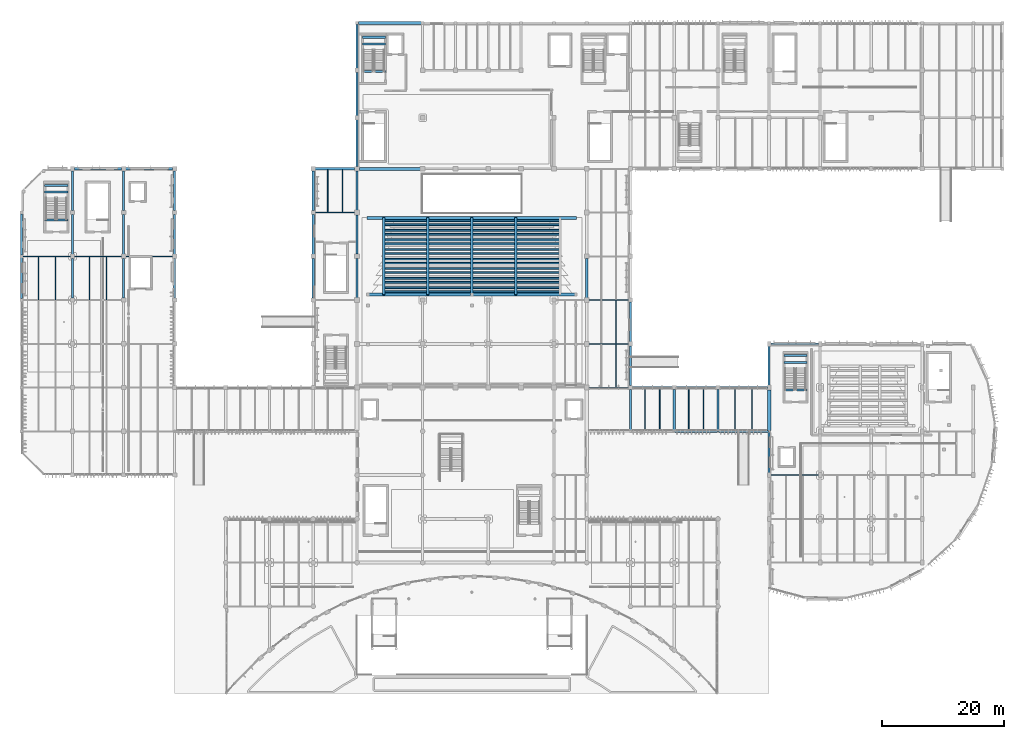
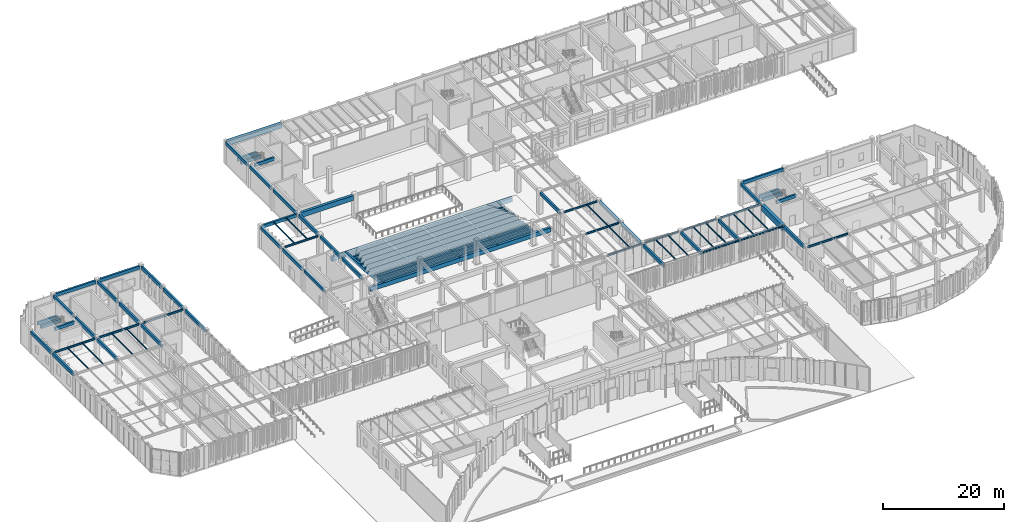
# One storey, part 12 of 122: 93 beams.
"""IFC4 building model written with IfcOpenShell, lengths in metres."""

import ifcopenshell
import ifcopenshell.guid

model = None  # the IFC model being written
_history = None  # IfcOwnerHistory: only IFC2X3 demands one
_inside = {}  # id of a spatial element -> (the spatial element, [elements in it])
_under = {}  # id of a project, library or spatial element -> (it, [spatial elements below it])
_declared = {}  # id of a project -> (the project, [libraries it declares])
_typed = {}  # id of a type object -> (the type object, [elements of that type])
_made_of = {}  # id of a material, layer set ... -> (it, [elements and type objects made of it])


def new_model(schema):
    """Start an empty IFC model of exactly this schema.

    Asked for "IFC4X3", IfcOpenShell would pick the latest addendum, in which some entities
    have other attributes; the version numbers below select the first issue.
    IFC2X3 requires an IfcOwnerHistory on every rooted entity: one is made here for all.
    """
    global model, _history
    if schema == "IFC4X3":
        model = ifcopenshell.file(schema_version=(4, 3, 0, 0))
    else:
        model = ifcopenshell.file(schema=schema)
    _inside.clear()
    _under.clear()
    _declared.clear()
    _typed.clear()
    _made_of.clear()
    _history = None
    if model.schema == "IFC2X3":
        org = make("IfcOrganization", Name="unknown")
        user = make(
            "IfcPersonAndOrganization",
            ThePerson=make("IfcPerson", FamilyName="unknown"),
            TheOrganization=org,
        )
        app = make(
            "IfcApplication",
            ApplicationDeveloper=org,
            Version="unknown",
            ApplicationFullName="unknown",
            ApplicationIdentifier="unknown",
        )
        _history = make(
            "IfcOwnerHistory",
            OwningUser=user,
            OwningApplication=app,
            ChangeAction="ADDED",
            CreationDate=0,
        )
    return model


def make(cls, **values):
    """One entity of the class cls with the attributes given. An attribute that is None is left unset."""
    return model.create_entity(
        cls, **{name: value for name, value in values.items() if value is not None}
    )


def rooted(cls, **values):
    """An entity with a GlobalId (a new one), such as an element, a storey or a relation."""
    return make(cls, GlobalId=ifcopenshell.guid.new(), OwnerHistory=_history, **values)


def si_unit(unit_type, name, prefix=None):
    """IfcSIUnit, for example si_unit("LENGTHUNIT", "METRE", prefix="MILLI")."""
    return make("IfcSIUnit", UnitType=unit_type, Prefix=prefix, Name=name)


def assignment(units):
    """IfcUnitAssignment: the units of a project."""
    return None if units is None else make("IfcUnitAssignment", Units=units)


def point(xyz):
    """IfcCartesianPoint."""
    return None if xyz is None else make("IfcCartesianPoint", Coordinates=xyz)


def direction(xyz):
    """IfcDirection."""
    return None if xyz is None else make("IfcDirection", DirectionRatios=xyz)


def frame(location, z_axis=None, x_axis=None):
    """IfcAxis2Placement3D, a coordinate frame: its origin and axes. An axis left out is left unset."""
    return make(
        "IfcAxis2Placement3D",
        Location=point(location),
        Axis=direction(z_axis),
        RefDirection=direction(x_axis),
    )


def frame_2d(location, x_axis=None):
    """IfcAxis2Placement2D, a coordinate frame in the plane: its origin and x axis."""
    return make(
        "IfcAxis2Placement2D", Location=point(location), RefDirection=direction(x_axis)
    )


def origin():
    """The frame at (0, 0, 0) with its axes left unset."""
    return frame((0.0, 0.0, 0.0))


def origin_2d():
    """The frame at (0, 0) in the plane with its x axis left unset."""
    return frame_2d((0.0, 0.0))


def place(relative_to, where):
    """IfcLocalPlacement: puts the frame where relative to a parent placement (None: the world)."""
    return make(
        "IfcLocalPlacement", PlacementRelTo=relative_to, RelativePlacement=where
    )


def context(
    kind, dimensions, precision=None, world=None, true_north=None, identifier=None
):
    """IfcGeometricRepresentationContext, for example the 3D "Model" context."""
    return make(
        "IfcGeometricRepresentationContext",
        ContextIdentifier=identifier,
        ContextType=kind,
        CoordinateSpaceDimension=dimensions,
        Precision=precision,
        WorldCoordinateSystem=world,
        TrueNorth=true_north,
    )


def subcontext(parent, identifier, kind, view, scale=None):
    """IfcGeometricRepresentationSubContext, for example "Body" below "Model"."""
    return make(
        "IfcGeometricRepresentationSubContext",
        ContextIdentifier=identifier,
        ContextType=kind,
        ParentContext=parent,
        TargetScale=scale,
        TargetView=view,
    )


def project(units=None, contexts=None):
    """IfcProject with its units and contexts."""
    return rooted(
        "IfcProject",
        Name="project",
        RepresentationContexts=contexts,
        UnitsInContext=assignment(units),
    )


def spatial(cls, under=None, at=None, **own):
    """A site, building, storey or space (cls), placed at a placement, below another one or the project."""
    s = rooted(cls, ObjectPlacement=at, **own)
    if under is not None:
        _under.setdefault(under.id(), (under, []))[1].append(s)
    return s


def profile(cls, at=None, kind="AREA", **sizes):
    """A parametric profile (cls). Its sizes go by their IFC names, for example OverallWidth=200.0."""
    return make(cls, ProfileType=kind, Position=at, **sizes)


def rectangle(**sizes):
    """IfcRectangleProfileDef."""
    return profile("IfcRectangleProfileDef", **sizes)


def i_section(**sizes):
    """IfcIShapeProfileDef."""
    return profile("IfcIShapeProfileDef", **sizes)


def extrude(swept, where, along, depth):
    """IfcExtrudedAreaSolid: the profile swept, set in the frame where, extruded along a direction by depth."""
    return make(
        "IfcExtrudedAreaSolid",
        SweptArea=swept,
        Position=where,
        ExtrudedDirection=direction(along),
        Depth=depth,
    )


def shape(context_of_items, identifier, shape_type, items):
    """IfcShapeRepresentation: the items that make up one representation, for example the "Body"."""
    return make(
        "IfcShapeRepresentation",
        ContextOfItems=context_of_items,
        RepresentationIdentifier=identifier,
        RepresentationType=shape_type,
        Items=items,
    )


def material(Name=None, Category=None):
    """IfcMaterial."""
    return make("IfcMaterial", Name=Name, Category=Category)


def material_profile(
    of_material, cross_section, Name=None, Category=None, Priority=None
):
    """IfcMaterialProfile: a cross section and its material."""
    return make(
        "IfcMaterialProfile",
        Name=Name,
        Material=of_material,
        Profile=cross_section,
        Priority=Priority,
        Category=Category,
    )


def profile_set(profiles, Name=None, composite=None):
    """IfcMaterialProfileSet."""
    return make(
        "IfcMaterialProfileSet",
        Name=Name,
        MaterialProfiles=profiles,
        CompositeProfile=composite,
    )


def made_of(thing, what):
    """Note that an element or type object is made of a material, layer set ...; save() writes the relation."""
    if what is not None:
        _made_of.setdefault(what.id(), (what, []))[1].append(thing)
    return thing


def type_object(cls, material=None, **own):
    """A type object (cls), such as IfcWallType, which elements share."""
    return made_of(rooted(cls, **own), material)


def element(
    cls,
    number,
    at=None,
    inside=None,
    cuts=None,
    type_object=None,
    material=None,
    context=None,
    identifier="Body",
    shape_type=None,
    held_by="IfcProductDefinitionShape",
    body=None,
    shapes=None,
    **own,
):
    """One element of the class cls, such as IfcWall. Its Tag is "e" and its number.

    at: its placement. inside: the storey or other place that contains it. cuts: it is an
    opening in that element (IfcRelVoidsElement). A single representation is given by context,
    identifier, shape_type and body (its items); several are given by shapes. held_by: the class
    of the entity that holds the representations. save() writes the other relations.
    """
    e = rooted(cls, Tag="e%d" % number, ObjectPlacement=at, **own)
    if body is not None:
        shapes = [shape(context, identifier, shape_type, body)]
    if shapes is not None:
        e.Representation = make(held_by, Representations=shapes)
    if inside is not None:
        _inside.setdefault(inside.id(), (inside, []))[1].append(e)
    if cuts is not None:
        rooted(
            "IfcRelVoidsElement", RelatingBuildingElement=cuts, RelatedOpeningElement=e
        )
    if type_object is not None:
        _typed.setdefault(type_object.id(), (type_object, []))[1].append(e)
    return made_of(e, material)


def aggregate(whole, parts):
    """IfcRelAggregates: a whole, such as a stair, and the parts it consists of."""
    return rooted("IfcRelAggregates", RelatingObject=whole, RelatedObjects=parts)


def save(model, path):
    """Write the relations noted so far, then the file.

    IfcRelAggregates (storeys below a building ...), IfcRelContainedInSpatialStructure (elements
    in a storey), IfcRelDefinesByType, IfcRelAssociatesMaterial and IfcRelDeclares: one each for
    every whole, place, type object, material and project.
    """
    for whole, parts in _under.values():
        aggregate(whole, parts)
    for where, things in _inside.values():
        rooted(
            "IfcRelContainedInSpatialStructure",
            RelatedElements=things,
            RelatingStructure=where,
        )
    for kind, things in _typed.values():
        rooted("IfcRelDefinesByType", RelatedObjects=things, RelatingType=kind)
    for what, things in _made_of.values():
        rooted("IfcRelAssociatesMaterial", RelatedObjects=things, RelatingMaterial=what)
    for by, libraries in _declared.values():
        rooted("IfcRelDeclares", RelatingContext=by, RelatedDefinitions=libraries)
    model.write(path)


model = new_model("IFC4")

# Units and contexts
model_context = context("Model", 3, precision=1e-05, world=origin(), true_north=direction((0.0, 1.0)))
body_context = subcontext(model_context, "Body", "Model", "MODEL_VIEW")
ifc_project = project(units=[si_unit("LENGTHUNIT", "METRE"), si_unit("AREAUNIT", "SQUARE_METRE"), si_unit("VOLUMEUNIT", "CUBIC_METRE"), si_unit("PLANEANGLEUNIT", "RADIAN"), si_unit("MASSUNIT", "GRAM", prefix="KILO")], contexts=[model_context])

# Site, building, storey
site_placement = place(None, origin())
site = spatial("IfcSite", under=ifc_project, at=site_placement, CompositionType="ELEMENT")
building_placement = place(site_placement, origin())
building = spatial("IfcBuilding", under=site, at=building_placement, Name="Tazoul Stagehouse", CompositionType="ELEMENT")
storey_placement = place(building_placement, origin())
storey = spatial("IfcBuildingStorey", under=building, at=storey_placement, Name="L00", CompositionType="ELEMENT", Elevation=0.0)

# Beams
ifc_material_1 = material(Name="Concrete C40/50", Category="concrete")
ifc_material_profile_1 = material_profile(ifc_material_1, rectangle(XDim=0.39990234375, YDim=0.75, at=origin_2d()), Name="RC 400x750")
ifc_profile_set_1 = profile_set([ifc_material_profile_1], Name="Concrete C40/50")
beam_type_1 = type_object("IfcBeamType", Name="RC Auditorium Raker Girder 400x750", PredefinedType="BEAM", material=ifc_profile_set_1)
for number, where, z_axis, x_axis, name in (
    (1, (62.0, 79.699951171875, -0.330078125), (0.0, -0.992612977455, 0.121323851688), (1.0, 0.0, 0.0), "RAKER V1-STALLS RB-01-01"),
    (2, (69.25, 79.699951171875, -0.330078125), (0.0, -0.992612977455, 0.121323851688), (1.0, 0.0, 0.0), "RAKER V1-STALLS RB-01-02"),
    (3, (76.5, 79.699951171875, -0.330078125), (0.0, -0.992612977455, 0.121323851688), (1.0, 0.0, 0.0), "RAKER V1-STALLS RB-01-03"),
    (4, (83.75, 79.699951171875, -0.330078125), (0.0, -0.992612977455, 0.121323851688), (1.0, 0.0, 0.0), "RAKER V1-STALLS RB-01-04"),
):
    element("IfcBeam", number, at=place(storey_placement, frame(where, z_axis=z_axis, x_axis=x_axis)), inside=storey, type_object=beam_type_1, Name=name, PredefinedType="BEAM", context=body_context, shape_type="SweptSolid", body=[
        extrude(rectangle(XDim=0.39990234375, YDim=0.75, at=origin_2d()), origin(), (0.0, 0.0, 1.0), 12.693603515625),
    ])
ifc_material_profile_2 = material_profile(ifc_material_1, rectangle(XDim=0.60009765625, YDim=1.199951171875, at=origin_2d()), Name="RC 600x1200")
ifc_profile_set_2 = profile_set([ifc_material_profile_2], Name="Concrete C40/50")
beam_type_2 = type_object("IfcBeamType", Name="RC Long-Span Girder 600x1200 (Exterior)", PredefinedType="BEAM", material=ifc_profile_set_2)
beam_1_placement = place(storey_placement, frame((125.39990234375, 44.737060546875, 3.93798828125), z_axis=(0.0, 1.0, 0.0), x_axis=(-1.0, 0.0, 0.0)))
element("IfcBeam", 5, at=beam_1_placement, inside=storey, type_object=beam_type_2, Name="L00 Beam BM-05E 19/G-H", PredefinedType="BEAM", context=body_context, shape_type="SweptSolid", body=[
    extrude(rectangle(XDim=0.60009765625, YDim=1.199951171875, at=origin_2d()), origin(), (0.0, 0.0, 1.0), 6.68798828125),
])
ifc_material_profile_3 = material_profile(ifc_material_1, rectangle(XDim=0.35009765625, YDim=0.64990234375, at=origin_2d()), Name="RC 350x650")
ifc_profile_set_3 = profile_set([ifc_material_profile_3], Name="Concrete C40/50")
beam_type_3 = type_object("IfcBeamType", Name="RC Perimeter Spandrel 350x650 (Exterior)", PredefinedType="SPANDREL", material=ifc_profile_set_3)
beam_2_placement = place(storey_placement, frame((125.675048828125, 59.0, 4.212890625), z_axis=(1.0, 0.0, 0.0), x_axis=(0.0, 1.0, 0.0)))
element("IfcBeam", 6, at=beam_2_placement, inside=storey, type_object=beam_type_3, Name="L00 Beam SP-01E J/19-20", PredefinedType="SPANDREL", context=body_context, shape_type="SweptSolid", body=[
    extrude(rectangle(XDim=0.35009765625, YDim=0.64990234375, at=origin_2d()), origin(), (0.0, 0.0, 1.0), 7.849853515625),
])
for number, where, z_axis, x_axis, name in (
    (7, (11.125, 87.800048828125, 4.212890625), (1.0, 0.0, 0.0), (0.0, 1.0, 0.0), "L00 Beam SP-01E N/2-3"),
    (8, (19.52490234375, 87.800048828125, 4.212890625), (1.0, 0.0, 0.0), (0.0, 1.0, 0.0), "L00 Beam SP-01E N/3-4"),
):
    element("IfcBeam", number, at=place(storey_placement, frame(where, z_axis=z_axis, x_axis=x_axis)), inside=storey, type_object=beam_type_3, Name=name, PredefinedType="SPANDREL", context=body_context, shape_type="SweptSolid", body=[
        extrude(rectangle(XDim=0.35009765625, YDim=0.64990234375, at=origin_2d()), origin(), (0.0, 0.0, 1.0), 7.75),
    ])
beam_3_placement = place(storey_placement, frame((50.72509765625, 87.800048828125, 4.212890625), z_axis=(1.0, 0.0, 0.0), x_axis=(0.0, 1.0, 0.0)))
element("IfcBeam", 9, at=beam_3_placement, inside=storey, type_object=beam_type_3, Name="L00 Beam SP-01E N/7-8", PredefinedType="SPANDREL", context=body_context, shape_type="SweptSolid", body=[
    extrude(rectangle(XDim=0.35009765625, YDim=0.64990234375, at=origin_2d()), origin(), (0.0, 0.0, 1.0), 6.5),
])
for number, where, z_axis, x_axis, name in (
    (10, (2.39990234375, 66.425048828125, 4.212890625), (0.0, 1.0, 0.0), (-1.0, 0.0, 0.0), "L00 Beam SP-01E 1/K-L"),
    (11, (2.39990234375, 73.625, 4.212890625), (0.0, 1.0, 0.0), (-1.0, 0.0, 0.0), "L00 Beam SP-01E 1/L-M"),
):
    element("IfcBeam", number, at=place(storey_placement, frame(where, z_axis=z_axis, x_axis=x_axis)), inside=storey, type_object=beam_type_3, Name=name, PredefinedType="SPANDREL", context=body_context, shape_type="SweptSolid", body=[
        extrude(rectangle(XDim=0.35009765625, YDim=0.64990234375, at=origin_2d()), origin(), (0.0, 0.0, 1.0), 6.75),
    ])
beam_4_placement = place(storey_placement, frame((27.60009765625, 66.52490234375, 4.212890625), z_axis=(0.0, 1.0, 0.0), x_axis=(-1.0, 0.0, 0.0)))
element("IfcBeam", 12, at=beam_4_placement, inside=storey, type_object=beam_type_3, Name="L00 Beam SP-01E 4/K-L", PredefinedType="SPANDREL", context=body_context, shape_type="SweptSolid", body=[
    extrude(rectangle(XDim=0.35009765625, YDim=0.64990234375, at=origin_2d()), origin(), (0.0, 0.0, 1.0), 6.550048828125),
])
beam_5_placement = place(storey_placement, frame((27.60009765625, 73.72509765625, 4.212890625), z_axis=(0.0, 1.0, 0.0), x_axis=(-1.0, 0.0, 0.0)))
element("IfcBeam", 13, at=beam_5_placement, inside=storey, type_object=beam_type_3, Name="L00 Beam SP-01E 4/L-M", PredefinedType="SPANDREL", context=body_context, shape_type="SweptSolid", body=[
    extrude(rectangle(XDim=0.35009765625, YDim=0.64990234375, at=origin_2d()), origin(), (0.0, 0.0, 1.0), 6.5498046875),
])
for number, where, z_axis, x_axis, name in (
    (14, (27.60009765625, 80.925048828125, 4.212890625), (0.0, 1.0, 0.0), (-1.0, 0.0, 0.0), "L00 Beam SP-01E 4/M-N"),
    (15, (50.39990234375, 66.52490234375, 4.212890625), (0.0, 1.0, 0.0), (-1.0, 0.0, 0.0), "L00 Beam SP-01E 7/K-L"),
):
    element("IfcBeam", number, at=place(storey_placement, frame(where, z_axis=z_axis, x_axis=x_axis)), inside=storey, type_object=beam_type_3, Name=name, PredefinedType="SPANDREL", context=body_context, shape_type="SweptSolid", body=[
        extrude(rectangle(XDim=0.35009765625, YDim=0.64990234375, at=origin_2d()), origin(), (0.0, 0.0, 1.0), 6.550048828125),
    ])
beam_6_placement = place(storey_placement, frame((50.39990234375, 73.72509765625, 4.212890625), z_axis=(0.0, 1.0, 0.0), x_axis=(-1.0, 0.0, 0.0)))
element("IfcBeam", 16, at=beam_6_placement, inside=storey, type_object=beam_type_3, Name="L00 Beam SP-01E 7/L-M", PredefinedType="SPANDREL", context=body_context, shape_type="SweptSolid", body=[
    extrude(rectangle(XDim=0.35009765625, YDim=0.64990234375, at=origin_2d()), origin(), (0.0, 0.0, 1.0), 6.5498046875),
])
beam_7_placement = place(storey_placement, frame((50.39990234375, 80.925048828125, 4.212890625), z_axis=(0.0, 1.0, 0.0), x_axis=(-1.0, 0.0, 0.0)))
element("IfcBeam", 17, at=beam_7_placement, inside=storey, type_object=beam_type_3, Name="L00 Beam SP-01E 7/M-N", PredefinedType="SPANDREL", context=body_context, shape_type="SweptSolid", body=[
    extrude(rectangle(XDim=0.35009765625, YDim=0.64990234375, at=origin_2d()), origin(), (0.0, 0.0, 1.0), 6.550048828125),
])
beam_8_placement = place(storey_placement, frame((57.60009765625, 88.175048828125, 4.212890625), z_axis=(0.0, 1.0, 0.0), x_axis=(-1.0, 0.0, 0.0)))
element("IfcBeam", 18, at=beam_8_placement, inside=storey, type_object=beam_type_3, Name="L00 Beam SP-01E 8/N-P", PredefinedType="SPANDREL", context=body_context, shape_type="SweptSolid", body=[
    extrude(rectangle(XDim=0.35009765625, YDim=0.64990234375, at=origin_2d()), origin(), (0.0, 0.0, 1.0), 7.699951171875),
])
beam_9_placement = place(storey_placement, frame((57.60009765625, 96.52490234375, 4.212890625), z_axis=(0.0, 1.0, 0.0), x_axis=(-1.0, 0.0, 0.0)))
element("IfcBeam", 19, at=beam_9_placement, inside=storey, type_object=beam_type_3, Name="L00 Beam SP-01E 8/P-Q", PredefinedType="SPANDREL", context=body_context, shape_type="SweptSolid", body=[
    extrude(rectangle(XDim=0.35009765625, YDim=0.64990234375, at=origin_2d()), origin(), (0.0, 0.0, 1.0), 7.150146484375),
])
beam_10_placement = place(storey_placement, frame((57.60009765625, 104.324951171875, 4.212890625), z_axis=(0.0, 1.0, 0.0), x_axis=(-1.0, 0.0, 0.0)))
element("IfcBeam", 20, at=beam_10_placement, inside=storey, type_object=beam_type_3, Name="L00 Beam SP-01E 8/Q-R", PredefinedType="SPANDREL", context=body_context, shape_type="SweptSolid", body=[
    extrude(rectangle(XDim=0.35009765625, YDim=0.64990234375, at=origin_2d()), origin(), (0.0, 0.0, 1.0), 7.25),
])
for number, where, z_axis, x_axis, name in (
    (21, (102.60009765625, 52.125, 4.212890625), (0.0, 1.0, 0.0), (-1.0, 0.0, 0.0), "L00 Beam SP-01E 16/H-J"),
    (22, (102.60009765625, 59.324951171875, 4.212890625), (0.0, 1.0, 0.0), (-1.0, 0.0, 0.0), "L00 Beam SP-01E 16/J-K"),
):
    element("IfcBeam", number, at=place(storey_placement, frame(where, z_axis=z_axis, x_axis=x_axis)), inside=storey, type_object=beam_type_3, Name=name, PredefinedType="SPANDREL", context=body_context, shape_type="SweptSolid", body=[
        extrude(rectangle(XDim=0.35009765625, YDim=0.64990234375, at=origin_2d()), origin(), (0.0, 0.0, 1.0), 6.550048828125),
    ])
beam_11_placement = place(storey_placement, frame((125.39990234375, 37.77490234375, 4.212890625), z_axis=(0.0, 1.0, 0.0), x_axis=(-1.0, 0.0, 0.0)))
element("IfcBeam", 23, at=beam_11_placement, inside=storey, type_object=beam_type_3, Name="L00 Beam SP-01E 19/F-G", PredefinedType="SPANDREL", context=body_context, shape_type="SweptSolid", body=[
    extrude(rectangle(XDim=0.35009765625, YDim=0.64990234375, at=origin_2d()), origin(), (0.0, 0.0, 1.0), 6.688232421875),
])
beam_12_placement = place(storey_placement, frame((125.39990234375, 52.175048828125, 4.212890625), z_axis=(0.0, 1.0, 0.0), x_axis=(-1.0, 0.0, 0.0)))
element("IfcBeam", 24, at=beam_12_placement, inside=storey, type_object=beam_type_3, Name="L00 Beam SP-01E 19/H-J", PredefinedType="SPANDREL", context=body_context, shape_type="SweptSolid", body=[
    extrude(rectangle(XDim=0.35009765625, YDim=0.64990234375, at=origin_2d()), origin(), (0.0, 0.0, 1.0), 6.449951171875),
])
ifc_material_profile_4 = material_profile(ifc_material_1, rectangle(XDim=0.35009765625, YDim=0.64990234375, at=origin_2d()), Name="RC 350x650")
ifc_profile_set_4 = profile_set([ifc_material_profile_4], Name="Concrete C40/50")
beam_type_4 = type_object("IfcBeamType", Name="RC Primary Girder 350x650", PredefinedType="BEAM", material=ifc_profile_set_4)
beam_13_placement = place(storey_placement, frame((10.800048828125, 66.52490234375, 4.212890625), z_axis=(0.0, 1.0, 0.0), x_axis=(-1.0, 0.0, 0.0)))
element("IfcBeam", 25, at=beam_13_placement, inside=storey, type_object=beam_type_4, Name="L00 Beam BM-01 2/K-L", PredefinedType="BEAM", context=body_context, shape_type="SweptSolid", body=[
    extrude(rectangle(XDim=0.35009765625, YDim=0.64990234375, at=origin_2d()), origin(), (0.0, 0.0, 1.0), 6.550048828125),
])
beam_14_placement = place(storey_placement, frame((10.800048828125, 73.72509765625, 4.212890625), z_axis=(0.0, 1.0, 0.0), x_axis=(-1.0, 0.0, 0.0)))
element("IfcBeam", 26, at=beam_14_placement, inside=storey, type_object=beam_type_4, Name="L00 Beam BM-01 2/L-M", PredefinedType="BEAM", context=body_context, shape_type="SweptSolid", body=[
    extrude(rectangle(XDim=0.35009765625, YDim=0.64990234375, at=origin_2d()), origin(), (0.0, 0.0, 1.0), 6.5498046875),
])
for number, where, z_axis, x_axis, name in (
    (27, (10.800048828125, 80.925048828125, 4.212890625), (0.0, 1.0, 0.0), (-1.0, 0.0, 0.0), "L00 Beam BM-01 2/M-N"),
    (28, (19.199951171875, 66.52490234375, 4.212890625), (0.0, 1.0, 0.0), (-1.0, 0.0, 0.0), "L00 Beam BM-01 3/K-L"),
):
    element("IfcBeam", number, at=place(storey_placement, frame(where, z_axis=z_axis, x_axis=x_axis)), inside=storey, type_object=beam_type_4, Name=name, PredefinedType="BEAM", context=body_context, shape_type="SweptSolid", body=[
        extrude(rectangle(XDim=0.35009765625, YDim=0.64990234375, at=origin_2d()), origin(), (0.0, 0.0, 1.0), 6.550048828125),
    ])
beam_15_placement = place(storey_placement, frame((19.199951171875, 73.72509765625, 4.212890625), z_axis=(0.0, 1.0, 0.0), x_axis=(-1.0, 0.0, 0.0)))
element("IfcBeam", 29, at=beam_15_placement, inside=storey, type_object=beam_type_4, Name="L00 Beam BM-01 3/L-M", PredefinedType="BEAM", context=body_context, shape_type="SweptSolid", body=[
    extrude(rectangle(XDim=0.35009765625, YDim=0.64990234375, at=origin_2d()), origin(), (0.0, 0.0, 1.0), 6.5498046875),
])
beam_16_placement = place(storey_placement, frame((19.199951171875, 80.925048828125, 4.212890625), z_axis=(0.0, 1.0, 0.0), x_axis=(-1.0, 0.0, 0.0)))
element("IfcBeam", 30, at=beam_16_placement, inside=storey, type_object=beam_type_4, Name="L00 Beam BM-01 3/M-N", PredefinedType="BEAM", context=body_context, shape_type="SweptSolid", body=[
    extrude(rectangle(XDim=0.35009765625, YDim=0.64990234375, at=origin_2d()), origin(), (0.0, 0.0, 1.0), 6.550048828125),
])
beam_17_placement = place(storey_placement, frame((57.60009765625, 66.574951171875, 4.212890625), z_axis=(0.0, 1.0, 0.0), x_axis=(-1.0, 0.0, 0.0)))
element("IfcBeam", 31, at=beam_17_placement, inside=storey, type_object=beam_type_4, Name="L00 Beam BM-01 8/K-L", PredefinedType="BEAM", context=body_context, shape_type="SweptSolid", body=[
    extrude(rectangle(XDim=0.35009765625, YDim=0.64990234375, at=origin_2d()), origin(), (0.0, 0.0, 1.0), 6.449951171875),
])
beam_18_placement = place(storey_placement, frame((57.60009765625, 73.77490234375, 4.212890625), z_axis=(0.0, 1.0, 0.0), x_axis=(-1.0, 0.0, 0.0)))
element("IfcBeam", 32, at=beam_18_placement, inside=storey, type_object=beam_type_4, Name="L00 Beam BM-01 8/L-M", PredefinedType="BEAM", context=body_context, shape_type="SweptSolid", body=[
    extrude(rectangle(XDim=0.35009765625, YDim=0.64990234375, at=origin_2d()), origin(), (0.0, 0.0, 1.0), 6.4501953125),
])
for number, where, z_axis, x_axis, name in (
    (33, (57.60009765625, 80.97509765625, 4.212890625), (0.0, 1.0, 0.0), (-1.0, 0.0, 0.0), "L00 Beam BM-01 8/M-N"),
    (34, (95.39990234375, 66.574951171875, 4.212890625), (0.0, 1.0, 0.0), (-1.0, 0.0, 0.0), "L00 Beam BM-01 15/K-L"),
):
    element("IfcBeam", number, at=place(storey_placement, frame(where, z_axis=z_axis, x_axis=x_axis)), inside=storey, type_object=beam_type_4, Name=name, PredefinedType="BEAM", context=body_context, shape_type="SweptSolid", body=[
        extrude(rectangle(XDim=0.35009765625, YDim=0.64990234375, at=origin_2d()), origin(), (0.0, 0.0, 1.0), 6.449951171875),
    ])
for number, where, z_axis, x_axis, name in (
    (35, (102.60009765625, 44.737060546875, 4.212890625), (0.0, 1.0, 0.0), (-1.0, 0.0, 0.0), "L00 Beam BM-01 16/G-H"),
    (36, (109.800048828125, 44.737060546875, 4.23291015625), (0.0, 1.0, 0.0), (-1.0, 0.0, 0.0), "L00 Beam BM-01 17/G-H"),
    (37, (117.0, 44.737060546875, 4.23291015625), (0.0, 1.0, 0.0), (-1.0, 0.0, 0.0), "L00 Beam BM-01 18/G-H"),
):
    element("IfcBeam", number, at=place(storey_placement, frame(where, z_axis=z_axis, x_axis=x_axis)), inside=storey, type_object=beam_type_4, Name=name, PredefinedType="BEAM", context=body_context, shape_type="SweptSolid", body=[
        extrude(rectangle(XDim=0.35009765625, YDim=0.64990234375, at=origin_2d()), origin(), (0.0, 0.0, 1.0), 6.738037109375),
    ])
for number, where, z_axis, x_axis, name in (
    (38, (58.469970703125, 108.35009765625, 1.8798828125), (1.0, 0.0, 0.0), (0.0, 1.0, 0.0), "L00 Stair Half-Landing Trimmer BM-01 (ST-03-1)"),
    (39, (58.469970703125, 109.449951171875, 1.8798828125), (1.0, 0.0, 0.0), (0.0, 1.0, 0.0), "L00 Stair Half-Landing Trimmer BM-01 (ST-03-2)"),
    (40, (58.469970703125, 103.800048828125, 4.215087890625), (1.0, 0.0, 0.0), (0.0, 1.0, 0.0), "L00 Stair Landing Trimmer BM-01 (ST-03-FL)"),
    (41, (6.219970703125, 83.949951171875, 1.8798828125), (1.0, 0.0, 0.0), (0.0, 1.0, 0.0), "L00 Stair Half-Landing Trimmer BM-01 (ST-06-1)"),
    (42, (6.219970703125, 85.050048828125, 1.8798828125), (1.0, 0.0, 0.0), (0.0, 1.0, 0.0), "L00 Stair Half-Landing Trimmer BM-01 (ST-06-2)"),
    (43, (6.219970703125, 79.39990234375, 4.215087890625), (1.0, 0.0, 0.0), (0.0, 1.0, 0.0), "L00 Stair Landing Trimmer BM-01 (ST-06-FL)"),
):
    element("IfcBeam", number, at=place(storey_placement, frame(where, z_axis=z_axis, x_axis=x_axis)), inside=storey, type_object=beam_type_4, Name=name, PredefinedType="BEAM", context=body_context, shape_type="SweptSolid", body=[
        extrude(rectangle(XDim=0.35009765625, YDim=0.64990234375, at=origin_2d()), origin(), (0.0, 0.0, 1.0), 3.81005859375),
    ])
for number, where, z_axis, x_axis, name in (
    (44, (127.820068359375, 55.949951171875, 1.8798828125), (1.0, 0.0, 0.0), (0.0, 1.0, 0.0), "L00 Stair Half-Landing Trimmer BM-01 (ST-07-1)"),
    (45, (127.820068359375, 57.050048828125, 1.8798828125), (1.0, 0.0, 0.0), (0.0, 1.0, 0.0), "L00 Stair Half-Landing Trimmer BM-01 (ST-07-2)"),
    (46, (127.820068359375, 51.39990234375, 4.215087890625), (1.0, 0.0, 0.0), (0.0, 1.0, 0.0), "L00 Stair Landing Trimmer BM-01 (ST-07-FL)"),
):
    element("IfcBeam", number, at=place(storey_placement, frame(where, z_axis=z_axis, x_axis=x_axis)), inside=storey, type_object=beam_type_4, Name=name, PredefinedType="BEAM", context=body_context, shape_type="SweptSolid", body=[
        extrude(rectangle(XDim=0.35009765625, YDim=0.64990234375, at=origin_2d()), origin(), (0.0, 0.0, 1.0), 3.809814453125),
    ])
ifc_material_profile_5 = material_profile(ifc_material_1, rectangle(XDim=0.449951171875, YDim=0.85009765625, at=origin_2d()), Name="RC 450x850")
ifc_profile_set_5 = profile_set([ifc_material_profile_5], Name="Concrete C40/50")
beam_type_5 = type_object("IfcBeamType", Name="RC Primary Girder 450x850", PredefinedType="BEAM", material=ifc_profile_set_5)
for number, where, z_axis, x_axis, name in (
    (47, (59.25, 79.699951171875, -0.39990234375), (1.0, 0.0, 0.0), (0.0, 1.0, 0.0), "L00 Bowl FRT Carrier Girder BM-03 (V1-STALLS)"),
    (48, (59.25, 67.10009765625, 1.139892578125), (1.0, 0.0, 0.0), (0.0, 1.0, 0.0), "L00 Bowl RER Carrier Girder BM-03 (V1-STALLS)"),
):
    element("IfcBeam", number, at=place(storey_placement, frame(where, z_axis=z_axis, x_axis=x_axis)), inside=storey, type_object=beam_type_5, Name=name, PredefinedType="BEAM", context=body_context, shape_type="SweptSolid", body=[
        extrude(rectangle(XDim=0.449951171875, YDim=0.85009765625, at=origin_2d()), origin(), (0.0, 0.0, 1.0), 34.5),
    ])
ifc_material_2 = material(Name="Concrete C35/45", Category="concrete")
ifc_material_profile_6 = material_profile(ifc_material_2, rectangle(XDim=0.300048828125, YDim=0.550048828125, at=origin_2d()), Name="RC 300x550")
ifc_profile_set_6 = profile_set([ifc_material_profile_6], Name="Concrete C35/45")
beam_type_6 = type_object("IfcBeamType", Name="RC Rib Joist 300x550", PredefinedType="JOIST", material=ifc_profile_set_6)
for number, where, z_axis, x_axis, name in (
    (49, (61.85009765625, 78.597412109375, -0.25), (1.0, 0.0, 0.0), (0.0, 1.0, 0.0), "L00 Tier Transverse Rib JS-06 (V1-STALLS-R01A)"),
    (50, (61.85009765625, 79.259033203125, -0.25), (1.0, 0.0, 0.0), (0.0, 1.0, 0.0), "L00 Tier Transverse Rib JS-06 (V1-STALLS-R01B)"),
    (51, (61.85009765625, 77.0224609375, -0.030029296875), (1.0, 0.0, 0.0), (0.0, 1.0, 0.0), "L00 Tier Transverse Rib JS-06 (V1-STALLS-R02A)"),
    (52, (61.85009765625, 77.68408203125, -0.030029296875), (1.0, 0.0, 0.0), (0.0, 1.0, 0.0), "L00 Tier Transverse Rib JS-06 (V1-STALLS-R02B)"),
    (53, (61.85009765625, 75.447509765625, 0.18994140625), (1.0, 0.0, 0.0), (0.0, 1.0, 0.0), "L00 Tier Transverse Rib JS-06 (V1-STALLS-R03A)"),
    (54, (61.85009765625, 76.10888671875, 0.18994140625), (1.0, 0.0, 0.0), (0.0, 1.0, 0.0), "L00 Tier Transverse Rib JS-06 (V1-STALLS-R03B)"),
    (55, (61.85009765625, 73.87255859375, 0.409912109375), (1.0, 0.0, 0.0), (0.0, 1.0, 0.0), "L00 Tier Transverse Rib JS-06 (V1-STALLS-R04A)"),
    (56, (61.85009765625, 74.533935546875, 0.409912109375), (1.0, 0.0, 0.0), (0.0, 1.0, 0.0), "L00 Tier Transverse Rib JS-06 (V1-STALLS-R04B)"),
    (57, (61.85009765625, 72.297607421875, 0.6298828125), (1.0, 0.0, 0.0), (0.0, 1.0, 0.0), "L00 Tier Transverse Rib JS-06 (V1-STALLS-R05A)"),
    (58, (61.85009765625, 72.958984375, 0.6298828125), (1.0, 0.0, 0.0), (0.0, 1.0, 0.0), "L00 Tier Transverse Rib JS-06 (V1-STALLS-R05B)"),
    (59, (61.85009765625, 70.722412109375, 0.85009765625), (1.0, 0.0, 0.0), (0.0, 1.0, 0.0), "L00 Tier Transverse Rib JS-06 (V1-STALLS-R06A)"),
    (60, (61.85009765625, 71.384033203125, 0.85009765625), (1.0, 0.0, 0.0), (0.0, 1.0, 0.0), "L00 Tier Transverse Rib JS-06 (V1-STALLS-R06B)"),
    (61, (61.85009765625, 69.1474609375, 1.070068359375), (1.0, 0.0, 0.0), (0.0, 1.0, 0.0), "L00 Tier Transverse Rib JS-06 (V1-STALLS-R07A)"),
    (62, (61.85009765625, 69.80908203125, 1.070068359375), (1.0, 0.0, 0.0), (0.0, 1.0, 0.0), "L00 Tier Transverse Rib JS-06 (V1-STALLS-R07B)"),
    (63, (61.85009765625, 67.572509765625, 1.2900390625), (1.0, 0.0, 0.0), (0.0, 1.0, 0.0), "L00 Tier Transverse Rib JS-06 (V1-STALLS-R08A)"),
    (64, (61.85009765625, 68.23388671875, 1.2900390625), (1.0, 0.0, 0.0), (0.0, 1.0, 0.0), "L00 Tier Transverse Rib JS-06 (V1-STALLS-R08B)"),
):
    element("IfcBeam", number, at=place(storey_placement, frame(where, z_axis=z_axis, x_axis=x_axis)), inside=storey, type_object=beam_type_6, Name=name, PredefinedType="JOIST", context=body_context, shape_type="SweptSolid", body=[
        extrude(rectangle(XDim=0.300048828125, YDim=0.550048828125, at=origin_2d()), origin(), (0.0, 0.0, 1.0), 29.2998046875),
    ])
ifc_material_profile_7 = material_profile(ifc_material_1, rectangle(XDim=0.5, YDim=1.0, at=origin_2d()), Name="RC 500x1000")
ifc_profile_set_7 = profile_set([ifc_material_profile_7], Name="Concrete C40/50")
beam_type_7 = type_object("IfcBeamType", Name="RC Transfer Girder 500x1000", PredefinedType="BEAM", material=ifc_profile_set_7)
beam_19_placement = place(storey_placement, frame((57.97509765625, 87.800048828125, 4.0380859375), z_axis=(1.0, 0.0, 0.0), x_axis=(0.0, 1.0, 0.0)))
element("IfcBeam", 65, at=beam_19_placement, inside=storey, type_object=beam_type_7, Name="L00 Beam BM-04 N/8-10", PredefinedType="BEAM", context=body_context, shape_type="SweptSolid", body=[
    extrude(rectangle(XDim=0.5, YDim=1.0, at=origin_2d()), origin(), (0.0, 0.0, 1.0), 10.0498046875),
])
ifc_material_profile_8 = material_profile(ifc_material_1, rectangle(XDim=0.5, YDim=1.0, at=origin_2d()), Name="RC 500x1000")
ifc_profile_set_8 = profile_set([ifc_material_profile_8], Name="Concrete C40/50")
beam_type_8 = type_object("IfcBeamType", Name="RC Transfer Girder 500x1000 (Exterior)", PredefinedType="BEAM", material=ifc_profile_set_8)
beam_20_placement = place(storey_placement, frame((57.824951171875, 111.800048828125, 4.0380859375), z_axis=(1.0, 0.0, 0.0), x_axis=(0.0, 1.0, 0.0)))
element("IfcBeam", 66, at=beam_20_placement, inside=storey, type_object=beam_type_8, Name="L00 Beam BM-04E R/8-10", PredefinedType="BEAM", context=body_context, shape_type="SweptSolid", body=[
    extrude(rectangle(XDim=0.5, YDim=1.0, at=origin_2d()), origin(), (0.0, 0.0, 1.0), 10.35009765625),
])
ifc_material_3 = material(Name="Steel S355", Category="steel")
ifc_material_profile_9 = material_profile(ifc_material_3, i_section(OverallWidth=0.300048828125, OverallDepth=0.2900390625, WebThickness=0.008544921875, FlangeThickness=0.013916015625, FilletRadius=0.027099609375, at=origin_2d()), Name="HEA 300")
ifc_profile_set_9 = profile_set([ifc_material_profile_9], Name="Steel S355")
beam_type_9 = type_object("IfcBeamType", Name="Steel Crescent Spandrel HEA 300 (Exterior)", PredefinedType="SPANDREL", material=ifc_profile_set_9)
beam_21_placement = place(storey_placement, frame((109.81005859375, 44.60009765625, 4.4130859375), z_axis=(1.0, 0.0, 0.0), x_axis=(0.0, 1.0, 0.0)))
element("IfcBeam", 67, at=beam_21_placement, inside=storey, type_object=beam_type_9, Name="L00 Beam SP-03E G/17-18", PredefinedType="SPANDREL", context=body_context, shape_type="SweptSolid", body=[
    extrude(i_section(OverallWidth=0.300048828125, OverallDepth=0.2900390625, WebThickness=0.008544921875, FlangeThickness=0.013916015625, FilletRadius=0.027099609375, at=origin_2d()), origin(), (0.0, 0.0, 1.0), 7.179931640625),
])
beam_22_placement = place(storey_placement, frame((117.010009765625, 44.60009765625, 4.39306640625), z_axis=(1.0, 0.0, 0.0), x_axis=(0.0, 1.0, 0.0)))
element("IfcBeam", 68, at=beam_22_placement, inside=storey, type_object=beam_type_9, Name="L00 Beam SP-03E G/18-19", PredefinedType="SPANDREL", context=body_context, shape_type="SweptSolid", body=[
    extrude(i_section(OverallWidth=0.300048828125, OverallDepth=0.2900390625, WebThickness=0.008544921875, FlangeThickness=0.013916015625, FilletRadius=0.027099609375, at=origin_2d()), origin(), (0.0, 0.0, 1.0), 8.3798828125),
])
for number, where, z_axis, x_axis, name in (
    (69, (102.925048828125, 51.800048828125, 4.39306640625), (1.0, 0.0, 0.0), (0.0, 1.0, 0.0), "L00 Beam SP-03E H/16-17"),
    (70, (110.125, 51.800048828125, 4.4130859375), (1.0, 0.0, 0.0), (0.0, 1.0, 0.0), "L00 Beam SP-03E H/17-18"),
):
    element("IfcBeam", number, at=place(storey_placement, frame(where, z_axis=z_axis, x_axis=x_axis)), inside=storey, type_object=beam_type_9, Name=name, PredefinedType="SPANDREL", context=body_context, shape_type="SweptSolid", body=[
        extrude(i_section(OverallWidth=0.300048828125, OverallDepth=0.2900390625, WebThickness=0.008544921875, FlangeThickness=0.013916015625, FilletRadius=0.027099609375, at=origin_2d()), origin(), (0.0, 0.0, 1.0), 6.550048828125),
    ])
beam_23_placement = place(storey_placement, frame((117.324951171875, 51.800048828125, 4.39306640625), z_axis=(1.0, 0.0, 0.0), x_axis=(0.0, 1.0, 0.0)))
element("IfcBeam", 71, at=beam_23_placement, inside=storey, type_object=beam_type_9, Name="L00 Beam SP-03E H/18-19", PredefinedType="SPANDREL", context=body_context, shape_type="SweptSolid", body=[
    extrude(i_section(OverallWidth=0.300048828125, OverallDepth=0.2900390625, WebThickness=0.008544921875, FlangeThickness=0.013916015625, FilletRadius=0.027099609375, at=origin_2d()), origin(), (0.0, 0.0, 1.0), 7.800048828125),
])
ifc_material_profile_10 = material_profile(ifc_material_3, i_section(OverallWidth=0.1201171875, OverallDepth=0.239990234375, WebThickness=0.006103515625, FlangeThickness=0.009765625, FilletRadius=0.014892578125, at=origin_2d()), Name="IPE 240")
ifc_profile_set_10 = profile_set([ifc_material_profile_10], Name="Steel S355")
beam_type_10 = type_object("IfcBeamType", Name="Steel Floor Joist IPE 240", PredefinedType="JOIST", material=ifc_profile_set_10)
for number, where, z_axis, x_axis, name in (
    (72, (105.0, 44.72509765625, 4.43798828125), (0.0, 1.0, 0.0), (-1.0, 0.0, 0.0), "L00 Joist JS-01 16/G-1"),
    (73, (107.39990234375, 44.72509765625, 4.43798828125), (0.0, 1.0, 0.0), (-1.0, 0.0, 0.0), "L00 Joist JS-01 16/G-2"),
    (74, (112.199951171875, 44.72509765625, 4.43798828125), (0.0, 1.0, 0.0), (-1.0, 0.0, 0.0), "L00 Joist JS-01 17/G-1"),
    (75, (114.60009765625, 44.72509765625, 4.43798828125), (0.0, 1.0, 0.0), (-1.0, 0.0, 0.0), "L00 Joist JS-01 17/G-2"),
    (76, (119.800048828125, 44.72509765625, 4.41796875), (0.0, 1.0, 0.0), (-1.0, 0.0, 0.0), "L00 Joist JS-01 18/G-1"),
    (77, (122.60009765625, 44.72509765625, 4.41796875), (0.0, 1.0, 0.0), (-1.0, 0.0, 0.0), "L00 Joist JS-01 18/G-2"),
):
    element("IfcBeam", number, at=place(storey_placement, frame(where, z_axis=z_axis, x_axis=x_axis)), inside=storey, type_object=beam_type_10, Name=name, PredefinedType="JOIST", context=body_context, shape_type="SweptSolid", body=[
        extrude(i_section(OverallWidth=0.1201171875, OverallDepth=0.239990234375, WebThickness=0.006103515625, FlangeThickness=0.009765625, FilletRadius=0.014892578125, at=origin_2d()), origin(), (0.0, 0.0, 1.0), 6.949951171875),
    ])
for number, where, z_axis, x_axis, name in (
    (78, (100.199951171875, 51.860107421875, 4.41796875), (0.0, 1.0, 0.0), (-1.0, 0.0, 0.0), "L00 Joist JS-01 15/H-2"),
    (79, (100.199951171875, 59.06005859375, 4.41796875), (0.0, 1.0, 0.0), (-1.0, 0.0, 0.0), "L00 Joist JS-01 15/J-2"),
):
    element("IfcBeam", number, at=place(storey_placement, frame(where, z_axis=z_axis, x_axis=x_axis)), inside=storey, type_object=beam_type_10, Name=name, PredefinedType="JOIST", context=body_context, shape_type="SweptSolid", body=[
        extrude(i_section(OverallWidth=0.1201171875, OverallDepth=0.239990234375, WebThickness=0.006103515625, FlangeThickness=0.009765625, FilletRadius=0.014892578125, at=origin_2d()), origin(), (0.0, 0.0, 1.0), 7.079833984375),
    ])
for number, where, z_axis, x_axis, name in (
    (80, (5.199951171875, 66.264892578125, 4.41796875), (0.0, 1.0, 0.0), (-1.0, 0.0, 0.0), "L00 Joist JS-01 1/K-1"),
    (81, (8.0, 66.264892578125, 4.41796875), (0.0, 1.0, 0.0), (-1.0, 0.0, 0.0), "L00 Joist JS-01 1/K-2"),
    (82, (13.60009765625, 66.264892578125, 4.41796875), (0.0, 1.0, 0.0), (-1.0, 0.0, 0.0), "L00 Joist JS-01 2/K-1"),
    (83, (16.39990234375, 66.264892578125, 4.41796875), (0.0, 1.0, 0.0), (-1.0, 0.0, 0.0), "L00 Joist JS-01 2/K-2"),
):
    element("IfcBeam", number, at=place(storey_placement, frame(where, z_axis=z_axis, x_axis=x_axis)), inside=storey, type_object=beam_type_10, Name=name, PredefinedType="JOIST", context=body_context, shape_type="SweptSolid", body=[
        extrude(i_section(OverallWidth=0.1201171875, OverallDepth=0.239990234375, WebThickness=0.006103515625, FlangeThickness=0.009765625, FilletRadius=0.014892578125, at=origin_2d()), origin(), (0.0, 0.0, 1.0), 7.070068359375),
    ])
for number, where, z_axis, x_axis, name in (
    (84, (52.800048828125, 80.659912109375, 4.41796875), (0.0, 1.0, 0.0), (-1.0, 0.0, 0.0), "L00 Joist JS-01 7/M-1"),
    (85, (55.199951171875, 80.659912109375, 4.41796875), (0.0, 1.0, 0.0), (-1.0, 0.0, 0.0), "L00 Joist JS-01 7/M-2"),
):
    element("IfcBeam", number, at=place(storey_placement, frame(where, z_axis=z_axis, x_axis=x_axis)), inside=storey, type_object=beam_type_10, Name=name, PredefinedType="JOIST", context=body_context, shape_type="SweptSolid", body=[
        extrude(i_section(OverallWidth=0.1201171875, OverallDepth=0.239990234375, WebThickness=0.006103515625, FlangeThickness=0.009765625, FilletRadius=0.014892578125, at=origin_2d()), origin(), (0.0, 0.0, 1.0), 6.989990234375),
    ])
ifc_material_profile_11 = material_profile(ifc_material_3, i_section(OverallWidth=0.169921875, OverallDepth=0.360107421875, WebThickness=0.008056640625, FlangeThickness=0.0126953125, FilletRadius=0.01806640625, at=origin_2d()), Name="IPE 360")
ifc_profile_set_11 = profile_set([ifc_material_profile_11], Name="Steel S355")
beam_type_11 = type_object("IfcBeamType", Name="Steel Primary Girder IPE 360", PredefinedType="BEAM", material=ifc_profile_set_11)
for number, where, z_axis, x_axis, name in (
    (86, (95.77490234375, 51.800048828125, 4.35791015625), (1.0, 0.0, 0.0), (0.0, 1.0, 0.0), "L00 Beam SB-01 H/15-16"),
    (87, (95.77490234375, 59.0, 4.35791015625), (1.0, 0.0, 0.0), (0.0, 1.0, 0.0), "L00 Beam SB-01 J/15-16"),
    (88, (95.77490234375, 66.199951171875, 4.35791015625), (1.0, 0.0, 0.0), (0.0, 1.0, 0.0), "L00 Beam SB-01 K/15-16"),
    (89, (50.72509765625, 80.60009765625, 4.35791015625), (1.0, 0.0, 0.0), (0.0, 1.0, 0.0), "L00 Beam SB-01 M/7-8"),
):
    element("IfcBeam", number, at=place(storey_placement, frame(where, z_axis=z_axis, x_axis=x_axis)), inside=storey, type_object=beam_type_11, Name=name, PredefinedType="BEAM", context=body_context, shape_type="SweptSolid", body=[
        extrude(i_section(OverallWidth=0.169921875, OverallDepth=0.360107421875, WebThickness=0.008056640625, FlangeThickness=0.0126953125, FilletRadius=0.01806640625, at=origin_2d()), origin(), (0.0, 0.0, 1.0), 6.5),
    ])
ifc_material_profile_12 = material_profile(ifc_material_3, i_section(OverallWidth=0.179931640625, OverallDepth=0.39990234375, WebThickness=0.008544921875, FlangeThickness=0.013427734375, FilletRadius=0.02099609375, at=origin_2d()), Name="IPE 400")
ifc_profile_set_12 = profile_set([ifc_material_profile_12], Name="Steel S355")
beam_type_12 = type_object("IfcBeamType", Name="Steel Primary Girder IPE 400", PredefinedType="BEAM", material=ifc_profile_set_12)
beam_24_placement = place(storey_placement, frame((125.675048828125, 37.39990234375, 4.337890625), z_axis=(1.0, 0.0, 0.0), x_axis=(0.0, 1.0, 0.0)))
element("IfcBeam", 90, at=beam_24_placement, inside=storey, type_object=beam_type_12, Name="L00 Beam SB-02 F/19-20", PredefinedType="BEAM", context=body_context, shape_type="SweptSolid", body=[
    extrude(i_section(OverallWidth=0.179931640625, OverallDepth=0.39990234375, WebThickness=0.008544921875, FlangeThickness=0.013427734375, FilletRadius=0.02099609375, at=origin_2d()), origin(), (0.0, 0.0, 1.0), 7.849853515625),
])
beam_25_placement = place(storey_placement, frame((2.625, 73.39990234375, 4.337890625), z_axis=(1.0, 0.0, 0.0), x_axis=(0.0, 1.0, 0.0)))
element("IfcBeam", 91, at=beam_25_placement, inside=storey, type_object=beam_type_12, Name="L00 Beam SB-02 L/1-2", PredefinedType="BEAM", context=body_context, shape_type="SweptSolid", body=[
    extrude(i_section(OverallWidth=0.179931640625, OverallDepth=0.39990234375, WebThickness=0.008544921875, FlangeThickness=0.013427734375, FilletRadius=0.02099609375, at=origin_2d()), origin(), (0.0, 0.0, 1.0), 7.85009765625),
])
for number, where, z_axis, x_axis, name in (
    (92, (11.125, 73.39990234375, 4.337890625), (1.0, 0.0, 0.0), (0.0, 1.0, 0.0), "L00 Beam SB-02 L/2-3"),
    (93, (19.52490234375, 73.39990234375, 4.337890625), (1.0, 0.0, 0.0), (0.0, 1.0, 0.0), "L00 Beam SB-02 L/3-4"),
):
    element("IfcBeam", number, at=place(storey_placement, frame(where, z_axis=z_axis, x_axis=x_axis)), inside=storey, type_object=beam_type_12, Name=name, PredefinedType="BEAM", context=body_context, shape_type="SweptSolid", body=[
        extrude(i_section(OverallWidth=0.179931640625, OverallDepth=0.39990234375, WebThickness=0.008544921875, FlangeThickness=0.013427734375, FilletRadius=0.02099609375, at=origin_2d()), origin(), (0.0, 0.0, 1.0), 7.75),
    ])

save(model, "model.ifc")
